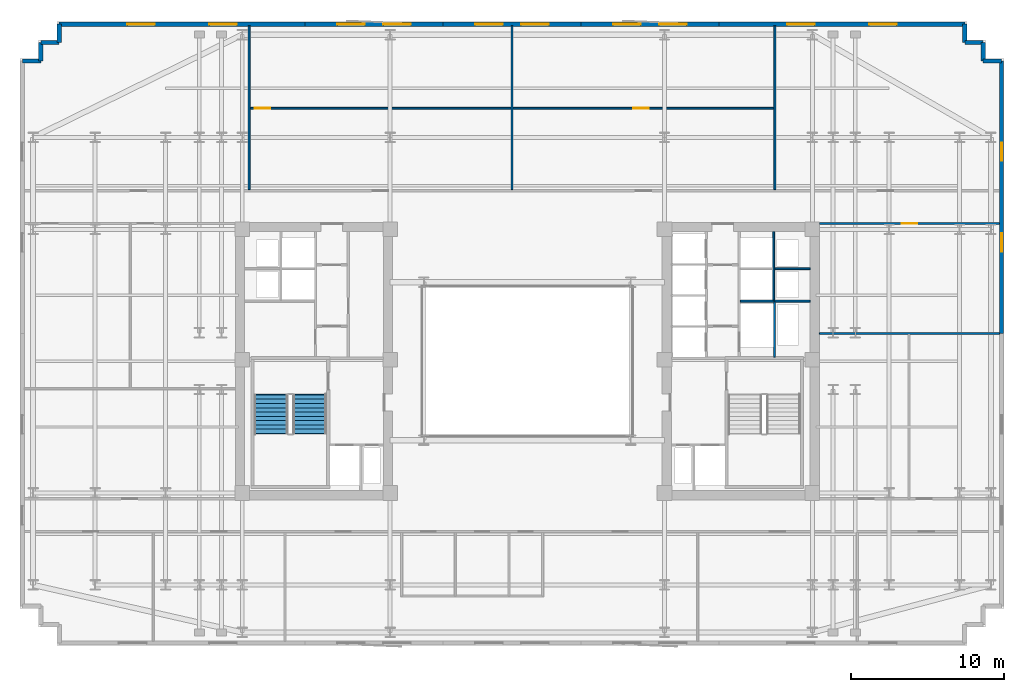
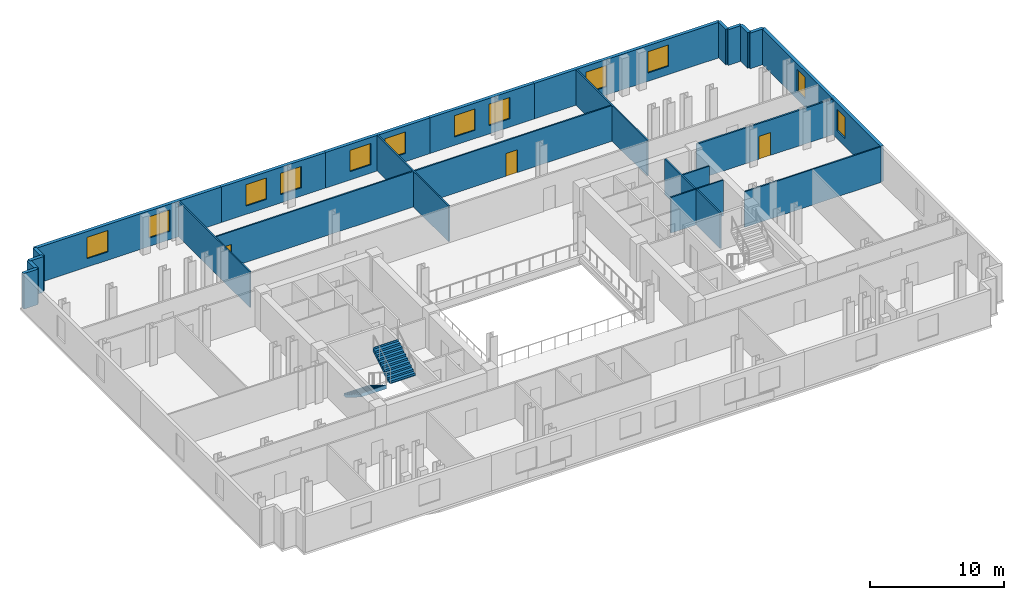
# One storey, part 7 of 10: 24 walls, 12 windows, 3 doors, 2 stair flights, 15 openings, 1 element without a shape of its own.
"""IFC4 building model written with IfcOpenShell, lengths in metres."""

from ifc_helpers import new_model, si_unit, direction, frame, frame_2d, origin, place, context, subcontext, project, spatial, polyline, rectangle, outline, extrude, material, layer, layer_set, type_object, element, fill, aggregate, save


model = new_model("IFC4")

# Units and contexts
model_context = context("Model", 3, precision=1e-05, world=origin(), true_north=direction((0.0, 1.0)))
body_context = subcontext(model_context, "Body", "Model", "MODEL_VIEW")
ifc_project = project(units=[si_unit("LENGTHUNIT", "METRE"), si_unit("AREAUNIT", "SQUARE_METRE"), si_unit("VOLUMEUNIT", "CUBIC_METRE"), si_unit("PLANEANGLEUNIT", "RADIAN"), si_unit("MASSUNIT", "GRAM", prefix="KILO")], contexts=[model_context])

# Site, building, storey
site_placement = place(None, origin())
site = spatial("IfcSite", under=ifc_project, at=site_placement, CompositionType="ELEMENT")
building_placement = place(site_placement, origin())
building = spatial("IfcBuilding", under=site, at=building_placement, Name="Velakula Bourse", CompositionType="ELEMENT")
storey_placement = place(building_placement, frame((0.0, 0.0, 145.0)))
storey = spatial("IfcBuildingStorey", under=building, at=storey_placement, Name="L39", CompositionType="ELEMENT", Elevation=145.0)

# Wall, openings, windows
ifc_material_1 = material(Name="Red kilned clay facing brick masonry", Category="masonry")
ifc_layer_1 = layer(ifc_material_1, 0.280029296875, Name="Red kilned clay facing brick masonry", Category="masonry")
ifc_layer_set_1 = layer_set([ifc_layer_1], Name="Red kilned clay facing brick masonry")
wall_type_1 = type_object("IfcWallType", Name="WL-EXT-BRK-280", PredefinedType="STANDARD", material=ifc_layer_set_1)
wall_1_placement = place(storey_placement, frame((-30.5400390625, 21.989990234375, 0.0), z_axis=(0.0, 0.0, 1.0), x_axis=(1.0, 0.0, 0.0)))
wall_1 = element("IfcWall", 1, at=wall_1_placement, inside=storey, type_object=wall_type_1, Name="L39 N Brick Spandrel Wall B1", PredefinedType="STANDARD", context=body_context, shape_type="SweptSolid", body=[
    extrude(rectangle(XDim=16.0400390625, YDim=0.280029296875, at=frame_2d((8.02001953125, 0.0))), origin(), (0.0, 0.0, 1.0), 3.25),
])
opening_1_placement = place(wall_1_placement, frame((4.44677734375, 0.0, 0.760009765625)))
opening_1 = element("IfcOpeningElement", 2, at=opening_1_placement, cuts=wall_1, Name="Opening W-01", PredefinedType="OPENING", context=body_context, shape_type="SweptSolid", body=[
    extrude(rectangle(XDim=1.800048828125, YDim=1.949951171875, at=frame_2d((0.89990234375, 0.97509765625))), frame((0.0, 0.14990234375, 0.0), z_axis=(0.0, -1.0, 0.0), x_axis=(1.0, 0.0, 0.0)), (0.0, 0.0, 1.0), 0.300048828125),
])
opening_2_placement = place(wall_1_placement, frame((9.793212890625, 0.0, 0.760009765625)))
opening_2 = element("IfcOpeningElement", 3, at=opening_2_placement, cuts=wall_1, Name="Opening W-01", PredefinedType="OPENING", context=body_context, shape_type="SweptSolid", body=[
    extrude(rectangle(XDim=1.800048828125, YDim=1.949951171875, at=frame_2d((0.89990234375, 0.97509765625))), frame((0.0, 0.14990234375, 0.0), z_axis=(0.0, -1.0, 0.0), x_axis=(1.0, 0.0, 0.0)), (0.0, 0.0, 1.0), 0.300048828125),
])
ifc_material_2 = material(Name="Double-glazed solar-control Low-E glass", Category="glass")
window_type_1 = type_object("IfcWindowType", Name="WIN-TWR-1800x2100", PartitioningType="SINGLE_PANEL", PredefinedType="WINDOW", material=ifc_material_2)
window_1_placement = place(opening_1_placement, origin())
window_1 = element("IfcWindow", 4, at=window_1_placement, inside=storey, type_object=window_type_1, Name="L39 Deep-Set Recessed Window 1", OverallHeight=1.949951171875, OverallWidth=1.800048828125, PartitioningType="SINGLE_PANEL", PredefinedType="WINDOW", context=body_context, shape_type="SweptSolid", body=[
    extrude(rectangle(XDim=1.800048828125, YDim=1.949951171875, at=frame_2d((0.89990234375, 0.97509765625))), frame((0.0, 0.030029296875, 0.0), z_axis=(0.0, -1.0, 0.0), x_axis=(1.0, 0.0, 0.0)), (0.0, 0.0, 1.0), 0.06005859375),
])
fill(opening_1, window_1)
window_2_placement = place(opening_2_placement, origin())
window_2 = element("IfcWindow", 5, at=window_2_placement, inside=storey, type_object=window_type_1, Name="L39 Deep-Set Recessed Window 2", OverallHeight=1.949951171875, OverallWidth=1.800048828125, PartitioningType="SINGLE_PANEL", PredefinedType="WINDOW", context=body_context, shape_type="SweptSolid", body=[
    extrude(rectangle(XDim=1.800048828125, YDim=1.949951171875, at=frame_2d((0.89990234375, 0.97509765625))), frame((0.0, 0.030029296875, 0.0), z_axis=(0.0, -1.0, 0.0), x_axis=(1.0, 0.0, 0.0)), (0.0, 0.0, 1.0), 0.06005859375),
])
fill(opening_2, window_2)

wall_2_placement = place(storey_placement, frame((-14.5, 21.989990234375, 0.0), z_axis=(0.0, 0.0, 1.0), x_axis=(1.0, 0.0, 0.0)))
wall_2 = element("IfcWall", 6, at=wall_2_placement, inside=storey, type_object=wall_type_1, Name="L39 N Brick Spandrel Wall B2", PredefinedType="STANDARD", context=body_context, shape_type="SweptSolid", body=[
    extrude(rectangle(XDim=9.0, YDim=0.280029296875, at=frame_2d((4.5, 0.0))), origin(), (0.0, 0.0, 1.0), 3.25),
])
opening_3_placement = place(wall_2_placement, frame((2.10009765625, 0.0, 0.760009765625)))
opening_3 = element("IfcOpeningElement", 7, at=opening_3_placement, cuts=wall_2, Name="Opening W-01", PredefinedType="OPENING", context=body_context, shape_type="SweptSolid", body=[
    extrude(rectangle(XDim=1.800048828125, YDim=1.949951171875, at=frame_2d((0.89990234375, 0.97509765625))), frame((0.0, 0.14990234375, 0.0), z_axis=(0.0, -1.0, 0.0), x_axis=(1.0, 0.0, 0.0)), (0.0, 0.0, 1.0), 0.300048828125),
])
opening_4_placement = place(wall_2_placement, frame((5.10009765625, 0.0, 0.760009765625)))
opening_4 = element("IfcOpeningElement", 8, at=opening_4_placement, cuts=wall_2, Name="Opening W-01", PredefinedType="OPENING", context=body_context, shape_type="SweptSolid", body=[
    extrude(rectangle(XDim=1.800048828125, YDim=1.949951171875, at=frame_2d((0.89990234375, 0.97509765625))), frame((0.0, 0.14990234375, 0.0), z_axis=(0.0, -1.0, 0.0), x_axis=(1.0, 0.0, 0.0)), (0.0, 0.0, 1.0), 0.300048828125),
])
window_3_placement = place(opening_3_placement, origin())
window_3 = element("IfcWindow", 9, at=window_3_placement, inside=storey, type_object=window_type_1, Name="L39 Deep-Set Recessed Window 1", OverallHeight=1.949951171875, OverallWidth=1.800048828125, PartitioningType="SINGLE_PANEL", PredefinedType="WINDOW", context=body_context, shape_type="SweptSolid", body=[
    extrude(rectangle(XDim=1.800048828125, YDim=1.949951171875, at=frame_2d((0.89990234375, 0.97509765625))), frame((0.0, 0.030029296875, 0.0), z_axis=(0.0, -1.0, 0.0), x_axis=(1.0, 0.0, 0.0)), (0.0, 0.0, 1.0), 0.06005859375),
])
fill(opening_3, window_3)
window_4_placement = place(opening_4_placement, origin())
window_4 = element("IfcWindow", 10, at=window_4_placement, inside=storey, type_object=window_type_1, Name="L39 Deep-Set Recessed Window 2", OverallHeight=1.949951171875, OverallWidth=1.800048828125, PartitioningType="SINGLE_PANEL", PredefinedType="WINDOW", context=body_context, shape_type="SweptSolid", body=[
    extrude(rectangle(XDim=1.800048828125, YDim=1.949951171875, at=frame_2d((0.89990234375, 0.97509765625))), frame((0.0, 0.030029296875, 0.0), z_axis=(0.0, -1.0, 0.0), x_axis=(1.0, 0.0, 0.0)), (0.0, 0.0, 1.0), 0.06005859375),
])
fill(opening_4, window_4)

wall_3_placement = place(storey_placement, frame((-5.5, 21.989990234375, 0.0), z_axis=(0.0, 0.0, 1.0), x_axis=(1.0, 0.0, 0.0)))
wall_3 = element("IfcWall", 11, at=wall_3_placement, inside=storey, type_object=wall_type_1, Name="L39 N Brick Spandrel Wall B3", PredefinedType="STANDARD", context=body_context, shape_type="SweptSolid", body=[
    extrude(rectangle(XDim=9.0, YDim=0.280029296875, at=frame_2d((4.5, 0.0))), origin(), (0.0, 0.0, 1.0), 3.25),
])
opening_5_placement = place(wall_3_placement, frame((2.10009765625, 0.0, 0.760009765625)))
opening_5 = element("IfcOpeningElement", 12, at=opening_5_placement, cuts=wall_3, Name="Opening W-01", PredefinedType="OPENING", context=body_context, shape_type="SweptSolid", body=[
    extrude(rectangle(XDim=1.800048828125, YDim=1.949951171875, at=frame_2d((0.89990234375, 0.97509765625))), frame((0.0, 0.14990234375, 0.0), z_axis=(0.0, -1.0, 0.0), x_axis=(1.0, 0.0, 0.0)), (0.0, 0.0, 1.0), 0.300048828125),
])
opening_6_placement = place(wall_3_placement, frame((5.10009765625, 0.0, 0.760009765625)))
opening_6 = element("IfcOpeningElement", 13, at=opening_6_placement, cuts=wall_3, Name="Opening W-01", PredefinedType="OPENING", context=body_context, shape_type="SweptSolid", body=[
    extrude(rectangle(XDim=1.800048828125, YDim=1.949951171875, at=frame_2d((0.89990234375, 0.97509765625))), frame((0.0, 0.14990234375, 0.0), z_axis=(0.0, -1.0, 0.0), x_axis=(1.0, 0.0, 0.0)), (0.0, 0.0, 1.0), 0.300048828125),
])
window_5_placement = place(opening_5_placement, origin())
window_5 = element("IfcWindow", 14, at=window_5_placement, inside=storey, type_object=window_type_1, Name="L39 Deep-Set Recessed Window 1", OverallHeight=1.949951171875, OverallWidth=1.800048828125, PartitioningType="SINGLE_PANEL", PredefinedType="WINDOW", context=body_context, shape_type="SweptSolid", body=[
    extrude(rectangle(XDim=1.800048828125, YDim=1.949951171875, at=frame_2d((0.89990234375, 0.97509765625))), frame((0.0, 0.030029296875, 0.0), z_axis=(0.0, -1.0, 0.0), x_axis=(1.0, 0.0, 0.0)), (0.0, 0.0, 1.0), 0.06005859375),
])
fill(opening_5, window_5)
window_6_placement = place(opening_6_placement, origin())
window_6 = element("IfcWindow", 15, at=window_6_placement, inside=storey, type_object=window_type_1, Name="L39 Deep-Set Recessed Window 2", OverallHeight=1.949951171875, OverallWidth=1.800048828125, PartitioningType="SINGLE_PANEL", PredefinedType="WINDOW", context=body_context, shape_type="SweptSolid", body=[
    extrude(rectangle(XDim=1.800048828125, YDim=1.949951171875, at=frame_2d((0.89990234375, 0.97509765625))), frame((0.0, 0.030029296875, 0.0), z_axis=(0.0, -1.0, 0.0), x_axis=(1.0, 0.0, 0.0)), (0.0, 0.0, 1.0), 0.06005859375),
])
fill(opening_6, window_6)

wall_4_placement = place(storey_placement, frame((3.5, 21.989990234375, 0.0), z_axis=(0.0, 0.0, 1.0), x_axis=(1.0, 0.0, 0.0)))
wall_4 = element("IfcWall", 16, at=wall_4_placement, inside=storey, type_object=wall_type_1, Name="L39 N Brick Spandrel Wall B4", PredefinedType="STANDARD", context=body_context, shape_type="SweptSolid", body=[
    extrude(rectangle(XDim=9.0, YDim=0.280029296875, at=frame_2d((4.5, 0.0))), origin(), (0.0, 0.0, 1.0), 3.25),
])
opening_7_placement = place(wall_4_placement, frame((2.10009765625, 0.0, 0.760009765625)))
opening_7 = element("IfcOpeningElement", 17, at=opening_7_placement, cuts=wall_4, Name="Opening W-01", PredefinedType="OPENING", context=body_context, shape_type="SweptSolid", body=[
    extrude(rectangle(XDim=1.800048828125, YDim=1.949951171875, at=frame_2d((0.89990234375, 0.97509765625))), frame((0.0, 0.14990234375, 0.0), z_axis=(0.0, -1.0, 0.0), x_axis=(1.0, 0.0, 0.0)), (0.0, 0.0, 1.0), 0.300048828125),
])
opening_8_placement = place(wall_4_placement, frame((5.10009765625, 0.0, 0.760009765625)))
opening_8 = element("IfcOpeningElement", 18, at=opening_8_placement, cuts=wall_4, Name="Opening W-01", PredefinedType="OPENING", context=body_context, shape_type="SweptSolid", body=[
    extrude(rectangle(XDim=1.800048828125, YDim=1.949951171875, at=frame_2d((0.89990234375, 0.97509765625))), frame((0.0, 0.14990234375, 0.0), z_axis=(0.0, -1.0, 0.0), x_axis=(1.0, 0.0, 0.0)), (0.0, 0.0, 1.0), 0.300048828125),
])
window_7_placement = place(opening_7_placement, origin())
window_7 = element("IfcWindow", 19, at=window_7_placement, inside=storey, type_object=window_type_1, Name="L39 Deep-Set Recessed Window 1", OverallHeight=1.949951171875, OverallWidth=1.800048828125, PartitioningType="SINGLE_PANEL", PredefinedType="WINDOW", context=body_context, shape_type="SweptSolid", body=[
    extrude(rectangle(XDim=1.800048828125, YDim=1.949951171875, at=frame_2d((0.89990234375, 0.97509765625))), frame((0.0, 0.030029296875, 0.0), z_axis=(0.0, -1.0, 0.0), x_axis=(1.0, 0.0, 0.0)), (0.0, 0.0, 1.0), 0.06005859375),
])
fill(opening_7, window_7)
window_8_placement = place(opening_8_placement, origin())
window_8 = element("IfcWindow", 20, at=window_8_placement, inside=storey, type_object=window_type_1, Name="L39 Deep-Set Recessed Window 2", OverallHeight=1.949951171875, OverallWidth=1.800048828125, PartitioningType="SINGLE_PANEL", PredefinedType="WINDOW", context=body_context, shape_type="SweptSolid", body=[
    extrude(rectangle(XDim=1.800048828125, YDim=1.949951171875, at=frame_2d((0.89990234375, 0.97509765625))), frame((0.0, 0.030029296875, 0.0), z_axis=(0.0, -1.0, 0.0), x_axis=(1.0, 0.0, 0.0)), (0.0, 0.0, 1.0), 0.06005859375),
])
fill(opening_8, window_8)

wall_5_placement = place(storey_placement, frame((12.5, 21.989990234375, 0.0), z_axis=(0.0, 0.0, 1.0), x_axis=(1.0, 0.0, 0.0)))
wall_5 = element("IfcWall", 21, at=wall_5_placement, inside=storey, type_object=wall_type_1, Name="L39 N Brick Spandrel Wall B5", PredefinedType="STANDARD", context=body_context, shape_type="SweptSolid", body=[
    extrude(rectangle(XDim=16.0400390625, YDim=0.280029296875, at=frame_2d((8.02001953125, 0.0))), origin(), (0.0, 0.0, 1.0), 3.25),
])
opening_9_placement = place(wall_5_placement, frame((4.44677734375, 0.0, 0.760009765625)))
opening_9 = element("IfcOpeningElement", 22, at=opening_9_placement, cuts=wall_5, Name="Opening W-01", PredefinedType="OPENING", context=body_context, shape_type="SweptSolid", body=[
    extrude(rectangle(XDim=1.800048828125, YDim=1.949951171875, at=frame_2d((0.89990234375, 0.97509765625))), frame((0.0, 0.14990234375, 0.0), z_axis=(0.0, -1.0, 0.0), x_axis=(1.0, 0.0, 0.0)), (0.0, 0.0, 1.0), 0.300048828125),
])
opening_10_placement = place(wall_5_placement, frame((9.793212890625, 0.0, 0.760009765625)))
opening_10 = element("IfcOpeningElement", 23, at=opening_10_placement, cuts=wall_5, Name="Opening W-01", PredefinedType="OPENING", context=body_context, shape_type="SweptSolid", body=[
    extrude(rectangle(XDim=1.800048828125, YDim=1.949951171875, at=frame_2d((0.89990234375, 0.97509765625))), frame((0.0, 0.14990234375, 0.0), z_axis=(0.0, -1.0, 0.0), x_axis=(1.0, 0.0, 0.0)), (0.0, 0.0, 1.0), 0.300048828125),
])
window_9_placement = place(opening_9_placement, origin())
window_9 = element("IfcWindow", 24, at=window_9_placement, inside=storey, type_object=window_type_1, Name="L39 Deep-Set Recessed Window 1", OverallHeight=1.949951171875, OverallWidth=1.800048828125, PartitioningType="SINGLE_PANEL", PredefinedType="WINDOW", context=body_context, shape_type="SweptSolid", body=[
    extrude(rectangle(XDim=1.800048828125, YDim=1.949951171875, at=frame_2d((0.89990234375, 0.97509765625))), frame((0.0, 0.030029296875, 0.0), z_axis=(0.0, -1.0, 0.0), x_axis=(1.0, 0.0, 0.0)), (0.0, 0.0, 1.0), 0.06005859375),
])
fill(opening_9, window_9)
window_10_placement = place(opening_10_placement, origin())
window_10 = element("IfcWindow", 25, at=window_10_placement, inside=storey, type_object=window_type_1, Name="L39 Deep-Set Recessed Window 2", OverallHeight=1.949951171875, OverallWidth=1.800048828125, PartitioningType="SINGLE_PANEL", PredefinedType="WINDOW", context=body_context, shape_type="SweptSolid", body=[
    extrude(rectangle(XDim=1.800048828125, YDim=1.949951171875, at=frame_2d((0.89990234375, 0.97509765625))), frame((0.0, 0.030029296875, 0.0), z_axis=(0.0, -1.0, 0.0), x_axis=(1.0, 0.0, 0.0)), (0.0, 0.0, 1.0), 0.06005859375),
])
fill(opening_10, window_10)

wall_6_placement = place(storey_placement, frame((30.93994140625, 19.590087890625, 0.0), z_axis=(0.0, 0.0, 1.0), x_axis=(0.0, -1.0, 0.0)))
wall_6 = element("IfcWall", 26, at=wall_6_placement, inside=storey, type_object=wall_type_1, Name="L39 E Brick End Wall W2", PredefinedType="STANDARD", context=body_context, shape_type="SweptSolid", body=[
    extrude(rectangle(XDim=17.7900390625, YDim=0.280029296875, at=frame_2d((8.89501953125, 0.0))), origin(), (0.0, 0.0, 1.0), 3.25),
])
opening_11_placement = place(wall_6_placement, frame((5.330078125, 0.0, 0.760009765625)))
opening_11 = element("IfcOpeningElement", 27, at=opening_11_placement, cuts=wall_6, Name="Opening W-04", PredefinedType="OPENING", context=body_context, shape_type="SweptSolid", body=[
    extrude(rectangle(XDim=1.199951171875, YDim=1.949951171875, at=frame_2d((0.60009765625, 0.97509765625))), frame((0.0, 0.14990234375, 0.0), z_axis=(0.0, -1.0, 0.0), x_axis=(1.0, 0.0, 0.0)), (0.0, 0.0, 1.0), 0.300048828125),
])
opening_12_placement = place(wall_6_placement, frame((11.260009765625, 0.0, 0.760009765625)))
opening_12 = element("IfcOpeningElement", 28, at=opening_12_placement, cuts=wall_6, Name="Opening W-04", PredefinedType="OPENING", context=body_context, shape_type="SweptSolid", body=[
    extrude(rectangle(XDim=1.199951171875, YDim=1.949951171875, at=frame_2d((0.60009765625, 0.97509765625))), frame((0.0, 0.14990234375, 0.0), z_axis=(0.0, -1.0, 0.0), x_axis=(1.0, 0.0, 0.0)), (0.0, 0.0, 1.0), 0.300048828125),
])
window_type_2 = type_object("IfcWindowType", Name="WIN-TWR-1200x2100", PartitioningType="SINGLE_PANEL", PredefinedType="WINDOW", material=ifc_material_2)
window_11_placement = place(opening_11_placement, origin())
window_11 = element("IfcWindow", 29, at=window_11_placement, inside=storey, type_object=window_type_2, Name="L39 Deep-Set Recessed Window 1", OverallHeight=1.949951171875, OverallWidth=1.199951171875, PartitioningType="SINGLE_PANEL", PredefinedType="WINDOW", context=body_context, shape_type="SweptSolid", body=[
    extrude(rectangle(XDim=1.199951171875, YDim=1.949951171875, at=frame_2d((0.60009765625, 0.97509765625))), frame((0.0, 0.030029296875, 0.0), z_axis=(0.0, -1.0, 0.0), x_axis=(1.0, 0.0, 0.0)), (0.0, 0.0, 1.0), 0.06005859375),
])
fill(opening_11, window_11)
window_12_placement = place(opening_12_placement, origin())
window_12 = element("IfcWindow", 30, at=window_12_placement, inside=storey, type_object=window_type_2, Name="L39 Deep-Set Recessed Window 2", OverallHeight=1.949951171875, OverallWidth=1.199951171875, PartitioningType="SINGLE_PANEL", PredefinedType="WINDOW", context=body_context, shape_type="SweptSolid", body=[
    extrude(rectangle(XDim=1.199951171875, YDim=1.949951171875, at=frame_2d((0.60009765625, 0.97509765625))), frame((0.0, 0.030029296875, 0.0), z_axis=(0.0, -1.0, 0.0), x_axis=(1.0, 0.0, 0.0)), (0.0, 0.0, 1.0), 0.06005859375),
])
fill(opening_12, window_12)

# Walls
for number, where, z_axis, x_axis, name in (
    (31, (30.93994140625, 19.590087890625, 0.0), (0.0, 0.0, 1.0), (-1.0, 0.0, 0.0), "L39 Serrated Corner Brick Wall NE-1"),
    (32, (29.739990234375, 19.590087890625, 0.0), (0.0, 0.0, 1.0), (0.0, 1.0, 0.0), "L39 Serrated Corner Brick Wall NE-2"),
    (33, (29.739990234375, 20.7900390625, 0.0), (0.0, 0.0, 1.0), (-1.0, 0.0, 0.0), "L39 Serrated Corner Brick Wall NE-3"),
    (34, (28.5400390625, 20.7900390625, 0.0), (0.0, 0.0, 1.0), (0.0, 1.0, 0.0), "L39 Serrated Corner Brick Wall NE-4"),
    (35, (-30.5400390625, 21.989990234375, 0.0), (0.0, 0.0, 1.0), (0.0, -1.0, 0.0), "L39 Serrated Corner Brick Wall NW-1"),
    (36, (-30.5400390625, 20.7900390625, 0.0), (0.0, 0.0, 1.0), (-1.0, 0.0, 0.0), "L39 Serrated Corner Brick Wall NW-2"),
    (37, (-31.739990234375, 20.7900390625, 0.0), (0.0, 0.0, 1.0), (0.0, -1.0, 0.0), "L39 Serrated Corner Brick Wall NW-3"),
    (38, (-31.739990234375, 19.590087890625, 0.0), (0.0, 0.0, 1.0), (-1.0, 0.0, 0.0), "L39 Serrated Corner Brick Wall NW-4"),
):
    element("IfcWall", number, at=place(storey_placement, frame(where, z_axis=z_axis, x_axis=x_axis)), inside=storey, type_object=wall_type_1, Name=name, PredefinedType="STANDARD", context=body_context, shape_type="SweptSolid", body=[
        extrude(rectangle(XDim=1.199951171875, YDim=0.280029296875, at=frame_2d((0.60009765625, 0.0))), origin(), (0.0, 0.0, 1.0), 3.25),
    ])
ifc_material_3 = material(Name="Fire-rated double-layer gypsum drywall partition", Category="gypsum")
ifc_layer_2 = layer(ifc_material_3, 0.1201171875, Name="Fire-rated double-layer gypsum drywall partition", Category="gypsum")
ifc_layer_set_2 = layer_set([ifc_layer_2], Name="Fire-rated double-layer gypsum drywall partition")
wall_type_2 = type_object("IfcWallType", Name="WL-PART-120", PredefinedType="STANDARD", material=ifc_layer_set_2)
wall_7_placement = place(storey_placement, frame((13.89990234375, 3.919921875, 0.0), z_axis=(0.0, 0.0, 1.0), x_axis=(1.0, 0.0, 0.0)))
element("IfcWall", 39, at=wall_7_placement, inside=storey, type_object=wall_type_2, Name="L39 Interior Partition WL-CRE-L39-HI-S", PredefinedType="STANDARD", context=body_context, shape_type="SweptSolid", body=[
    extrude(rectangle(XDim=4.550048828125, YDim=0.1201171875, at=frame_2d((2.27490234375, 0.0))), origin(), (0.0, 0.0, 1.0), 3.25),
])
wall_8_placement = place(storey_placement, frame((16.14990234375, 6.030029296875, 0.0), z_axis=(0.0, 0.0, 1.0), x_axis=(1.0, 0.0, 0.0)))
element("IfcWall", 40, at=wall_8_placement, inside=storey, type_object=wall_type_2, Name="L39 Interior Partition WL-CRE-L39-RIS-MID", PredefinedType="STANDARD", context=body_context, shape_type="SweptSolid", body=[
    extrude(rectangle(XDim=2.300048828125, YDim=0.1201171875, at=frame_2d((1.14990234375, 0.0))), origin(), (0.0, 0.0, 1.0), 3.25),
])
wall_9_placement = place(storey_placement, frame((16.074951171875, 3.97998046875, 0.0), z_axis=(0.0, 0.0, 1.0), x_axis=(0.0, 1.0, 0.0)))
element("IfcWall", 41, at=wall_9_placement, inside=storey, type_object=wall_type_2, Name="L39 Interior Partition WL-CRE-L39-RIS-F", PredefinedType="STANDARD", context=body_context, shape_type="SweptSolid", body=[
    extrude(rectangle(XDim=4.469970703125, YDim=0.1201171875, at=frame_2d((2.23486328125, 0.0))), origin(), (0.0, 0.0, 1.0), 3.25),
])
wall_10_placement = place(storey_placement, frame((16.125, 0.27001953125, 0.0), z_axis=(0.0, 0.0, 1.0), x_axis=(0.0, 1.0, 0.0)))
element("IfcWall", 42, at=wall_10_placement, inside=storey, type_object=wall_type_2, Name="L39 Interior Partition WL-CRE-L39-SVL-E", PredefinedType="STANDARD", context=body_context, shape_type="SweptSolid", body=[
    extrude(rectangle(XDim=3.590087890625, YDim=0.1201171875, at=frame_2d((1.794921875, 0.0))), origin(), (0.0, 0.0, 1.0), 3.25),
])
for number, where, z_axis, x_axis, name in (
    (43, (-18.14990234375, 11.18994140625, 0.0), (0.0, 0.0, 1.0), (0.0, 1.0, 0.0), "L39 Interior Partition WL-INT-L39-N-D1"),
    (44, (-1.0, 11.18994140625, 0.0), (0.0, 0.0, 1.0), (0.0, 1.0, 0.0), "L39 Interior Partition WL-INT-L39-N-D2"),
    (45, (16.14990234375, 11.18994140625, 0.0), (0.0, 0.0, 1.0), (0.0, 1.0, 0.0), "L39 Interior Partition WL-INT-L39-N-D3"),
):
    element("IfcWall", number, at=place(storey_placement, frame(where, z_axis=z_axis, x_axis=x_axis)), inside=storey, type_object=wall_type_2, Name=name, PredefinedType="STANDARD", context=body_context, shape_type="SweptSolid", body=[
        extrude(rectangle(XDim=10.68017578125, YDim=0.1201171875, at=frame_2d((5.340087890625, 0.0))), origin(), (0.0, 0.0, 1.0), 3.25),
    ])

# Wall, openings, doors
wall_11_placement = place(storey_placement, frame((-18.090087890625, 16.5, 0.0), z_axis=(0.0, 0.0, 1.0), x_axis=(1.0, 0.0, 0.0)))
wall_11 = element("IfcWall", 46, at=wall_11_placement, inside=storey, type_object=wall_type_2, Name="L39 Interior Partition WL-INT-L39-N-MID", PredefinedType="STANDARD", context=body_context, shape_type="SweptSolid", body=[
    extrude(rectangle(XDim=34.18017578125, YDim=0.1201171875, at=frame_2d((17.090087890625, 0.0))), origin(), (0.0, 0.0, 1.0), 3.25),
])
opening_13_placement = place(wall_11_placement, frame((0.320068359375, 0.0, 0.0)))
opening_13 = element("IfcOpeningElement", 47, at=opening_13_placement, cuts=wall_11, Name="Opening D-OF1", PredefinedType="OPENING", context=body_context, shape_type="SweptSolid", body=[
    extrude(rectangle(XDim=1.0, YDim=2.080078125, at=frame_2d((0.5, 1.0400390625))), frame((0.0, 0.070068359375, 0.0), z_axis=(0.0, -1.0, 0.0), x_axis=(1.0, 0.0, 0.0)), (0.0, 0.0, 1.0), 0.14013671875),
])
opening_14_placement = place(wall_11_placement, frame((25.0078125, 0.0, 0.0)))
opening_14 = element("IfcOpeningElement", 48, at=opening_14_placement, cuts=wall_11, Name="Opening D-OF1", PredefinedType="OPENING", context=body_context, shape_type="SweptSolid", body=[
    extrude(rectangle(XDim=1.0, YDim=2.080078125, at=frame_2d((0.5, 1.0400390625))), frame((0.0, 0.070068359375, 0.0), z_axis=(0.0, -1.0, 0.0), x_axis=(1.0, 0.0, 0.0)), (0.0, 0.0, 1.0), 0.14013671875),
])
ifc_material_4 = material(Name="Fire-rated hardwood flush architectural door", Category="wood")
door_type = type_object("IfcDoorType", Name="DR-OFF-1000", OperationType="NOTDEFINED", PredefinedType="DOOR", material=ifc_material_4)
door_1_placement = place(opening_13_placement, origin())
door_1 = element("IfcDoor", 49, at=door_1_placement, inside=storey, type_object=door_type, Name="L39 Disciplinary Hearing Room Door", OperationType="SINGLE_SWING_LEFT", OverallHeight=2.080078125, OverallWidth=1.0, PredefinedType="DOOR", context=body_context, shape_type="SweptSolid", body=[
    extrude(rectangle(XDim=1.0, YDim=2.080078125, at=frame_2d((0.5, 1.0400390625))), frame((0.0, 0.02490234375, 0.0), z_axis=(0.0, -1.0, 0.0), x_axis=(1.0, 0.0, 0.0)), (0.0, 0.0, 1.0), 0.050048828125),
])
fill(opening_13, door_1)
door_2_placement = place(opening_14_placement, origin())
door_2 = element("IfcDoor", 50, at=door_2_placement, inside=storey, type_object=door_type, Name="L39 Traders Pantry Door", OperationType="SINGLE_SWING_LEFT", OverallHeight=2.080078125, OverallWidth=1.0, PredefinedType="DOOR", context=body_context, shape_type="SweptSolid", body=[
    extrude(rectangle(XDim=1.0, YDim=2.080078125, at=frame_2d((0.5, 1.0400390625))), frame((0.0, 0.02490234375, 0.0), z_axis=(0.0, -1.0, 0.0), x_axis=(1.0, 0.0, 0.0)), (0.0, 0.0, 1.0), 0.050048828125),
])
fill(opening_14, door_2)

# Wall
wall_12_placement = place(storey_placement, frame((19.050048828125, 1.800048828125, 0.0), z_axis=(0.0, 0.0, 1.0), x_axis=(1.0, 0.0, 0.0)))
element("IfcWall", 51, at=wall_12_placement, inside=storey, type_object=wall_type_2, Name="L39 Interior Partition WL-INT-L39-E-H", PredefinedType="STANDARD", context=body_context, shape_type="SweptSolid", body=[
    extrude(rectangle(XDim=11.77001953125, YDim=0.1201171875, at=frame_2d((5.885009765625, 0.0))), origin(), (0.0, 0.0, 1.0), 3.25),
])

# Wall, opening, door
ifc_layer_3 = layer(ifc_material_3, 0.139892578125, Name="Fire-rated double-layer gypsum drywall partition", Category="gypsum")
ifc_layer_set_3 = layer_set([ifc_layer_3], Name="Fire-rated double-layer gypsum drywall partition")
wall_type_3 = type_object("IfcWallType", Name="WL-PART-140", PredefinedType="STANDARD", material=ifc_layer_set_3)
wall_13_placement = place(storey_placement, frame((19.050048828125, 8.97998046875, 0.0), z_axis=(0.0, 0.0, 1.0), x_axis=(1.0, 0.0, 0.0)))
wall_13 = element("IfcWall", 52, at=wall_13_placement, inside=storey, type_object=wall_type_3, Name="L39 Interior Partition WL-INT-L39-E-NC", PredefinedType="STANDARD", context=body_context, shape_type="SweptSolid", body=[
    extrude(rectangle(XDim=11.77001953125, YDim=0.139892578125, at=frame_2d((5.885009765625, 0.0))), origin(), (0.0, 0.0, 1.0), 3.25),
])
opening_15_placement = place(wall_13_placement, frame((5.385009765625, 0.0, 0.0)))
opening_15 = element("IfcOpeningElement", 53, at=opening_15_placement, cuts=wall_13, Name="Opening D-OF1", PredefinedType="OPENING", context=body_context, shape_type="SweptSolid", body=[
    extrude(rectangle(XDim=1.0, YDim=2.080078125, at=frame_2d((0.5, 1.0400390625))), frame((0.0, 0.079833984375, 0.0), z_axis=(0.0, -1.0, 0.0), x_axis=(1.0, 0.0, 0.0)), (0.0, 0.0, 1.0), 0.159912109375),
])
door_3_placement = place(opening_15_placement, origin())
door_3 = element("IfcDoor", 54, at=door_3_placement, inside=storey, type_object=door_type, Name="L39 Asset Allocation Office Door", OperationType="SINGLE_SWING_LEFT", OverallHeight=2.080078125, OverallWidth=1.0, PredefinedType="DOOR", context=body_context, shape_type="SweptSolid", body=[
    extrude(rectangle(XDim=1.0, YDim=2.080078125, at=frame_2d((0.5, 1.0400390625))), frame((0.0, 0.02490234375, 0.0), z_axis=(0.0, -1.0, 0.0), x_axis=(1.0, 0.0, 0.0)), (0.0, 0.0, 1.0), 0.050048828125),
])
fill(opening_15, door_3)

# Stair, stair flights
ifc_material_5 = material(Name="Concrete M45 (fck 45 MPa)", Category="concrete")
stair_type = type_object("IfcStairType", Name="STR-DOG-390", PredefinedType="HALF_TURN_STAIR", material=ifc_material_5)
stair_placement = place(storey_placement, origin())
stair = element("IfcStair", 55, at=stair_placement, inside=storey, type_object=stair_type, Name="L39 West Core Exit Stair ST-W1", PredefinedType="HALF_TURN_STAIR")
ifc_layer_4 = layer(ifc_material_5, 0.195068359375, Name="Concrete M45 (fck 45 MPa)", Category="concrete")
ifc_layer_set_4 = layer_set([ifc_layer_4], Name="Concrete M45 (fck 45 MPa)")
stair_flight_type = type_object("IfcStairFlightType", Name="FLT-DOG-390", PredefinedType="STRAIGHT", material=ifc_layer_set_4)
stair_flight_1_placement = place(storey_placement, frame((-16.720947265625, -2.199951171875, 0.0), z_axis=(0.0, 0.0, 1.0), x_axis=(0.0, -1.0, 0.0)))
stair_flight_1 = element("IfcStairFlight", 56, at=stair_flight_1_placement, type_object=stair_flight_type, Name="ST-W1 flight 1", NumberOfRisers=10, NumberOfTreads=9, PredefinedType="STRAIGHT", RiserHeight=0.1725, TreadLength=0.28, context=body_context, shape_type="SweptSolid", body=[
    extrude(outline(polyline([(-0.044921875, -0.0400390625), (-0.044921875, -0.036865234375), (-0.044921875, -0.033935546875), (-0.044921875, -0.03076171875), (-0.044921875, -0.027587890625), (-0.044921875, -0.024658203125), (-0.044921875, -0.021484375), (-0.044921875, -0.0185546875), (-0.044921875, -0.015380859375), (-0.044921875, -0.01220703125), (-0.044921875, -0.00927734375), (-0.044921875, -0.006103515625), (-0.044921875, -0.003173828125), (-0.044921875, 0.0), (0.0, 0.0), (0.0, 0.172607421875), (0.280029296875, 0.172607421875), (0.280029296875, 0.344970703125), (0.56005859375, 0.344970703125), (0.56005859375, 0.517578125), (0.840087890625, 0.517578125), (0.840087890625, 0.68994140625), (1.1201171875, 0.68994140625), (1.1201171875, 0.862548828125), (1.39990234375, 0.862548828125), (1.39990234375, 1.034912109375), (1.679931640625, 1.034912109375), (1.679931640625, 1.20751953125), (1.9599609375, 1.20751953125), (1.9599609375, 1.3798828125), (2.239990234375, 1.3798828125), (2.239990234375, 1.552490234375), (2.52001953125, 1.552490234375), (2.52001953125, 1.72509765625), (2.56494140625, 1.72509765625), (2.56494140625, 1.7001953125), (2.56494140625, 1.67529296875), (2.56494140625, 1.650390625), (2.56494140625, 1.62548828125), (2.56494140625, 1.6005859375), (2.56494140625, 1.57568359375), (2.56494140625, 1.55078125), (2.56494140625, 1.52587890625), (2.56494140625, 1.5009765625), (2.56494140625, 1.47607421875), (2.56494140625, 1.451171875), (2.56494140625, 1.42626953125), (2.56494140625, 1.4013671875), (2.56494140625, 1.37646484375), (0.285888671875, -0.0400390625), (-0.044921875, -0.0400390625)])), frame((0.0, 1.09912109375, 0.0), z_axis=(0.0, -1.0, 0.0), x_axis=(1.0, 0.0, 0.0)), (0.0, 0.0, 1.0), 2.197998046875),
])
stair_flight_2_placement = place(storey_placement, frame((-14.198974609375, -4.719970703125, 1.72509765625), z_axis=(0.0, 0.0, 1.0), x_axis=(0.0, 1.0, 0.0)))
stair_flight_2 = element("IfcStairFlight", 57, at=stair_flight_2_placement, type_object=stair_flight_type, Name="ST-W1 flight 2", NumberOfRisers=10, NumberOfTreads=9, PredefinedType="STRAIGHT", RiserHeight=0.1725, TreadLength=0.28, context=body_context, shape_type="SweptSolid", body=[
    extrude(outline(polyline([(-0.044921875, -0.0400390625), (-0.044921875, -0.036865234375), (-0.044921875, -0.033935546875), (-0.044921875, -0.03076171875), (-0.044921875, -0.027587890625), (-0.044921875, -0.024658203125), (-0.044921875, -0.021484375), (-0.044921875, -0.0185546875), (-0.044921875, -0.015380859375), (-0.044921875, -0.01220703125), (-0.044921875, -0.00927734375), (-0.044921875, -0.006103515625), (-0.044921875, -0.003173828125), (-0.044921875, 0.0), (0.0, 0.0), (0.0, 0.172607421875), (0.280029296875, 0.172607421875), (0.280029296875, 0.344970703125), (0.56005859375, 0.344970703125), (0.56005859375, 0.517578125), (0.840087890625, 0.517578125), (0.840087890625, 0.68994140625), (1.1201171875, 0.68994140625), (1.1201171875, 0.862548828125), (1.39990234375, 0.862548828125), (1.39990234375, 1.034912109375), (1.679931640625, 1.034912109375), (1.679931640625, 1.20751953125), (1.9599609375, 1.20751953125), (1.9599609375, 1.3798828125), (2.239990234375, 1.3798828125), (2.239990234375, 1.552490234375), (2.52001953125, 1.552490234375), (2.52001953125, 1.72509765625), (2.56494140625, 1.72509765625), (2.56494140625, 1.7001953125), (2.56494140625, 1.67529296875), (2.56494140625, 1.650390625), (2.56494140625, 1.62548828125), (2.56494140625, 1.6005859375), (2.56494140625, 1.57568359375), (2.56494140625, 1.55078125), (2.56494140625, 1.52587890625), (2.56494140625, 1.5009765625), (2.56494140625, 1.47607421875), (2.56494140625, 1.451171875), (2.56494140625, 1.42626953125), (2.56494140625, 1.4013671875), (2.56494140625, 1.37646484375), (0.285888671875, -0.0400390625), (-0.044921875, -0.0400390625)])), frame((0.0, 1.09912109375, 0.0), z_axis=(0.0, -1.0, 0.0), x_axis=(1.0, 0.0, 0.0)), (0.0, 0.0, 1.0), 2.197998046875),
])
aggregate(stair, [stair_flight_1, stair_flight_2])

save(model, "model.ifc")
